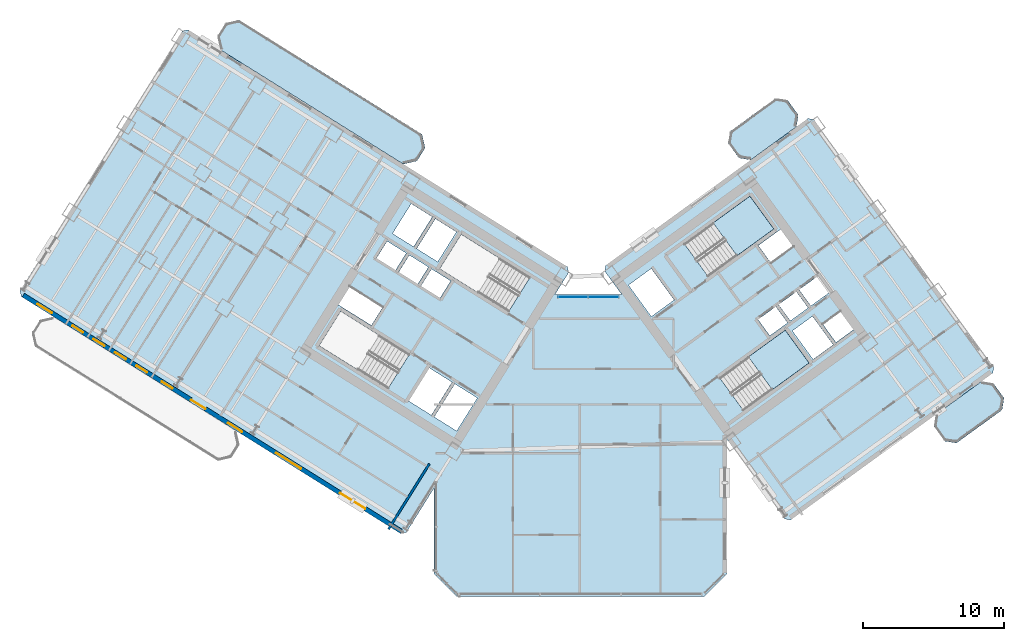
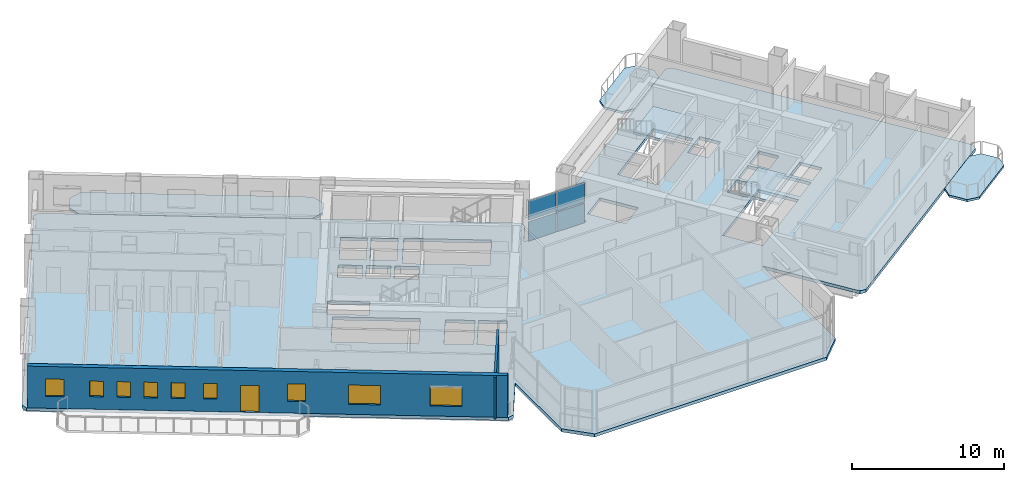
# One storey, part 14 of 24: 9 windows, 6 slabs, 4 plates, 2 walls, 1 door, 10 openings, 3 elements without a shape of their own.
"""IFC4 building model written with IfcOpenShell, lengths in metres."""

from ifc_helpers import new_model, si_unit, direction, frame, frame_2d, origin, origin_2d, place, context, subcontext, project, spatial, polyline, rectangle, outline, extrude, source, transform, mapped, material, layer, layer_set, type_object, element, fill, aggregate, save


model = new_model("IFC4")

# Units and contexts
model_context = context("Model", 3, precision=1e-05, world=origin(), true_north=direction((0.0, 1.0)))
body_context = subcontext(model_context, "Body", "Model", "MODEL_VIEW")
ifc_project = project(units=[si_unit("LENGTHUNIT", "METRE"), si_unit("AREAUNIT", "SQUARE_METRE"), si_unit("VOLUMEUNIT", "CUBIC_METRE"), si_unit("PLANEANGLEUNIT", "RADIAN"), si_unit("MASSUNIT", "GRAM", prefix="KILO")], contexts=[model_context])

# Site, building, storey
site_placement = place(None, origin())
site = spatial("IfcSite", under=ifc_project, at=site_placement, CompositionType="ELEMENT")
building_placement = place(site_placement, origin())
building = spatial("IfcBuilding", under=site, at=building_placement, Name="Tlacorven Tower", CompositionType="ELEMENT")
storey_placement = place(building_placement, frame((0.0, 0.0, 31.199951171875)))
storey = spatial("IfcBuildingStorey", under=building, at=storey_placement, Name="L07", CompositionType="ELEMENT", Elevation=31.199951171875)

# Slabs
ifc_material_1 = material(Name="Precast concrete C45/55", Category="concrete")
ifc_layer_1 = layer(ifc_material_1, 0.179931640625)
ifc_layer_set_1 = layer_set([ifc_layer_1], Name="Precast concrete C45/55")
slab_type_1 = type_object("IfcSlabType", Name="SL-BAL-180", PredefinedType="USERDEFINED", material=ifc_layer_set_1)
slab_1_placement = place(storey_placement, frame((0.0, 0.0, -0.179931640625)))
element("IfcSlab", 1, at=slab_1_placement, inside=storey, type_object=slab_type_1, Name="L07 West Wing Balcony Ribbon IN", ObjectType="BALCONY SLAB", PredefinedType="USERDEFINED", context=body_context, shape_type="SweptSolid", body=[
    extrude(outline(polyline([(30.756591796875, 34.57763671875), (17.781494140625, 42.685546875), (16.81689453125, 42.462890625), (16.236572265625, 41.5341796875), (16.459228515625, 40.569580078125), (29.434326171875, 32.4619140625), (30.39892578125, 32.6845703125), (30.979248046875, 33.613037109375), (30.756591796875, 34.57763671875)])), origin(), (0.0, 0.0, 1.0), 0.179931640625),
])
slab_2_placement = place(storey_placement, frame((0.0, 0.0, -0.179931640625)))
element("IfcSlab", 2, at=slab_2_placement, inside=storey, type_object=slab_type_1, Name="L07 East Wing Balcony Ribbon OUT", ObjectType="BALCONY SLAB", PredefinedType="USERDEFINED", context=body_context, shape_type="SweptSolid", body=[
    extrude(outline(polyline([(68.669921875, 12.678955078125), (71.906005859375, 15.0302734375), (72.03857421875, 15.8681640625), (71.27734375, 16.916015625), (70.439453125, 17.048583984375), (67.203369140625, 14.697509765625), (67.070556640625, 13.859375), (67.831787109375, 12.811767578125), (68.669921875, 12.678955078125)])), origin(), (0.0, 0.0, 1.0), 0.179931640625),
])
slab_3_placement = place(storey_placement, frame((0.0, 0.0, -0.179931640625)))
element("IfcSlab", 3, at=slab_3_placement, inside=storey, type_object=slab_type_1, Name="L07 East Wing Balcony Ribbon IN", ObjectType="BALCONY SLAB", PredefinedType="USERDEFINED", context=body_context, shape_type="SweptSolid", body=[
    extrude(outline(polyline([(54.078125, 32.762939453125), (57.314208984375, 35.114013671875), (57.44677734375, 35.9521484375), (56.685791015625, 36.999755859375), (55.84765625, 37.132568359375), (52.611572265625, 34.78125), (52.478759765625, 33.943359375), (53.239990234375, 32.8955078125), (54.078125, 32.762939453125)])), origin(), (0.0, 0.0, 1.0), 0.179931640625),
])

# Stair, slab
ifc_material_2 = material(Name="Concrete C40/50", Category="concrete")
stair_type = type_object("IfcStairType", Name="ST-CORE-DLG", PredefinedType="HALF_TURN_STAIR", material=ifc_material_2)
stair_1_placement = place(storey_placement, origin())
stair_1 = element("IfcStair", 4, at=stair_1_placement, inside=storey, type_object=stair_type, Name="L07 Protected Exit Stair East 1", PredefinedType="HALF_TURN_STAIR")
ifc_layer_2 = layer(ifc_material_2, 0.199951171875)
ifc_layer_set_2 = layer_set([ifc_layer_2], Name="Concrete C40/50")
slab_type_2 = type_object("IfcSlabType", Name="SL-LND-200", PredefinedType="LANDING", material=ifc_layer_set_2)
slab_4_placement = place(storey_placement, frame((0.0, 0.0, 1.60009765625)))
slab_4 = element("IfcSlab", 5, at=slab_4_placement, type_object=slab_type_2, Name="ST-E1 landing 1", PredefinedType="LANDING", context=body_context, shape_type="SweptSolid", body=[
    extrude(outline(polyline([(53.09765625, 25.962890625), (55.7109375, 27.861572265625), (54.01806640625, 30.19140625), (51.40478515625, 28.29296875), (53.09765625, 25.962890625)])), origin(), (0.0, 0.0, 1.0), 0.199951171875),
])
aggregate(stair_1, [slab_4])

stair_2_placement = place(storey_placement, origin())
stair_2 = element("IfcStair", 6, at=stair_2_placement, inside=storey, type_object=stair_type, Name="L07 Protected Exit Stair East 2", PredefinedType="HALF_TURN_STAIR")
slab_5_placement = place(storey_placement, frame((0.0, 0.0, 1.60009765625)))
slab_5 = element("IfcSlab", 7, at=slab_5_placement, type_object=slab_type_2, Name="ST-E2 landing 1", PredefinedType="LANDING", context=body_context, shape_type="SweptSolid", body=[
    extrude(outline(polyline([(55.601806640625, 16.4599609375), (58.21484375, 18.3583984375), (56.52197265625, 20.6884765625), (53.908935546875, 18.789794921875), (55.601806640625, 16.4599609375)])), origin(), (0.0, 0.0, 1.0), 0.199951171875),
])
aggregate(stair_2, [slab_5])

# Slab
ifc_layer_3 = layer(ifc_material_2, 0.25)
ifc_layer_set_3 = layer_set([ifc_layer_3], Name="Concrete C40/50")
slab_type_3 = type_object("IfcSlabType", Name="SL-TWR-250", PredefinedType="FLOOR", material=ifc_layer_set_3)
slab_6_placement = place(storey_placement, frame((0.0, 0.0, -0.25)))
element("IfcSlab", 8, at=slab_6_placement, inside=storey, type_object=slab_type_3, Name="L07 Boomerang Tower Floor Slab", PredefinedType="FLOOR", context=body_context, shape_type="SweptSolid", body=[
    extrude(outline(polyline([(52.39990234375, 3.39990234375), (50.800048828125, 1.800048828125), (33.199951171875, 1.800048828125), (31.60009765625, 3.39990234375), (31.60009765625, 9.470703125), (29.652587890625, 6.35400390625), (29.2392578125, 6.258544921875), (2.339111328125, 23.067626953125), (2.24365234375, 23.481201171875), (13.75341796875, 41.900634765625), (14.1669921875, 41.99609375), (41.06689453125, 25.18701171875), (41.162353515625, 24.773681640625), (40.178955078125, 23.199951171875), (44.932373046875, 23.199951171875), (43.723876953125, 24.86328125), (43.790283203125, 25.2822265625), (58.1259765625, 35.69775390625), (58.545166015625, 35.63134765625), (71.311767578125, 18.0595703125), (71.245361328125, 17.640380859375), (56.90966796875, 7.224853515625), (56.49072265625, 7.291259765625), (52.39990234375, 12.921630859375), (52.39990234375, 3.39990234375)]), holes=[polyline([(29.865478515625, 18.979736328125), (24.9892578125, 22.02685546875), (23.463134765625, 19.58447265625), (28.33935546875, 16.537353515625), (29.865478515625, 18.979736328125)]), polyline([(38.4169921875, 24.4375), (33.540771484375, 27.484375), (32.0146484375, 25.0419921875), (36.890869140625, 21.9951171875), (38.4169921875, 24.4375)]), polyline([(51.05908203125, 24.481689453125), (55.7109375, 27.861572265625), (54.01806640625, 30.19140625), (49.3662109375, 26.811767578125), (51.05908203125, 24.481689453125)]), polyline([(53.56298828125, 14.978759765625), (58.21484375, 18.3583984375), (56.52197265625, 20.6884765625), (51.8701171875, 17.30859375), (53.56298828125, 14.978759765625)]), polyline([(34.682373046875, 15.87548828125), (33.088134765625, 16.871826171875), (31.62548828125, 14.531005859375), (33.2197265625, 13.534912109375), (34.682373046875, 15.87548828125)]), polyline([(32.884521484375, 16.9990234375), (31.2392578125, 18.02685546875), (29.77685546875, 15.686279296875), (31.421875, 14.658203125), (32.884521484375, 16.9990234375)]), polyline([(47.0234375, 21.648681640625), (48.6416015625, 22.82421875), (47.019287109375, 25.05712890625), (45.401123046875, 23.881591796875), (47.0234375, 21.648681640625)]), polyline([(33.197265625, 27.65185546875), (31.704833984375, 28.58447265625), (30.3798828125, 26.46435546875), (31.87255859375, 25.53173828125), (33.197265625, 27.65185546875)]), polyline([(31.484375, 28.722412109375), (29.99169921875, 29.655029296875), (28.6669921875, 27.534912109375), (30.159423828125, 26.602294921875), (31.484375, 28.722412109375)]), polyline([(32.794921875, 24.17724609375), (31.43798828125, 25.025146484375), (30.685546875, 23.82080078125), (32.042236328125, 22.972900390625), (32.794921875, 24.17724609375)]), polyline([(31.217529296875, 25.162841796875), (29.860595703125, 26.0107421875), (29.108154296875, 24.806396484375), (30.465087890625, 23.958740234375), (31.217529296875, 25.162841796875)]), polyline([(29.64013671875, 26.1484375), (28.283203125, 26.996337890625), (27.53076171875, 25.792236328125), (28.8876953125, 24.9443359375), (29.64013671875, 26.1484375)]), polyline([(55.427734375, 20.288818359375), (56.68994140625, 21.205810546875), (55.855224609375, 22.354736328125), (54.59326171875, 21.437744140625), (55.427734375, 20.288818359375)]), polyline([(56.884033203125, 21.346923828125), (58.146240234375, 22.263916015625), (57.3115234375, 23.41259765625), (56.04931640625, 22.495849609375), (56.884033203125, 21.346923828125)]), polyline([(58.34033203125, 22.405029296875), (59.602294921875, 23.322021484375), (58.767578125, 24.470703125), (57.505615234375, 23.5537109375), (58.34033203125, 22.405029296875)]), polyline([(58.498779296875, 18.614013671875), (59.922607421875, 19.648681640625), (58.453125, 21.671142578125), (57.029296875, 20.63671875), (58.498779296875, 18.614013671875)]), polyline([(27.96142578125, 22.2919921875), (25.603759765625, 23.76513671875), (24.80908203125, 22.4931640625), (27.16650390625, 21.02001953125), (27.96142578125, 22.2919921875)]), polyline([(55.490478515625, 25.4765625), (57.092529296875, 26.640380859375), (56.210693359375, 27.85400390625), (54.60888671875, 26.690185546875), (55.490478515625, 25.4765625)]), polyline([(60.12109375, 19.817626953125), (61.38330078125, 20.734619140625), (60.45458984375, 22.012939453125), (59.192626953125, 21.095947265625), (60.12109375, 19.817626953125)])]), origin(), (0.0, 0.0, 1.0), 0.25),
])

# Curtain wall, plates
ifc_material_3 = material(Name="Dark solar low-E double glazing in aluminium frame", Category="aluminium")
curtain_wall_type = type_object("IfcCurtainWallType", Name="CW-TWR-LOW", PredefinedType="USERDEFINED", material=ifc_material_3)
curtain_wall_placement = place(storey_placement, origin())
curtain_wall = element("IfcCurtainWall", 9, at=curtain_wall_placement, inside=storey, type_object=curtain_wall_type, Name="L07 CW-TWR-LOW Curtain Wall 38", ObjectType="UNITISED CURTAIN WALL", PredefinedType="USERDEFINED")
ifc_material_4 = material(Name="Dark solar double low-E glazing", Category="glass")
ifc_layer_4 = layer(ifc_material_4, 0.031982421875)
ifc_layer_set_4 = layer_set([ifc_layer_4], Name="Dark solar double low-E glazing")
plate_type = type_object("IfcPlateType", Name="CWP-02", PredefinedType="CURTAIN_PANEL", material=ifc_layer_set_4)
shared_shape_1 = source(origin(), body_context, "Body", "SweptSolid", [
    extrude(rectangle(XDim=2.110595703125, YDim=0.031982421875, at=origin_2d()), origin(), (0.0, 0.0, 1.0), 1.552978515625),
])
plate_1_placement = place(storey_placement, frame((41.47802734375, 23.0400390625, 0.06103515625), z_axis=(0.0, 0.0, 1.0), x_axis=(1.0, 0.0, 0.0)))
plate_1 = element("IfcPlate", 10, at=plate_1_placement, type_object=plate_type, Name="CW-L07-038 Glazing Panel 1", PredefinedType="CURTAIN_PANEL", context=body_context, shape_type="MappedRepresentation", body=[
    mapped(shared_shape_1, transform((0.0, 0.0, 0.0), scale=1.0)),
])
plate_2_placement = place(storey_placement, frame((41.47802734375, 23.0400390625, 1.73583984375), z_axis=(0.0, 0.0, 1.0), x_axis=(1.0, 0.0, 0.0)))
plate_2 = element("IfcPlate", 11, at=plate_2_placement, type_object=plate_type, Name="CW-L07-038 Glazing Panel 2", PredefinedType="CURTAIN_PANEL", context=body_context, shape_type="MappedRepresentation", body=[
    mapped(shared_shape_1, transform((0.0, 0.0, 0.0), scale=1.0)),
])
plate_3_placement = place(storey_placement, frame((43.640625, 23.0400390625, 0.06103515625), z_axis=(0.0, 0.0, 1.0), x_axis=(1.0, 0.0, 0.0)))
plate_3 = element("IfcPlate", 12, at=plate_3_placement, type_object=plate_type, Name="CW-L07-038 Glazing Panel 3", PredefinedType="CURTAIN_PANEL", context=body_context, shape_type="MappedRepresentation", body=[
    mapped(shared_shape_1, transform((0.0, 0.0, 0.0), scale=1.0)),
])
plate_4_placement = place(storey_placement, frame((43.640625, 23.0400390625, 1.73583984375), z_axis=(0.0, 0.0, 1.0), x_axis=(1.0, 0.0, 0.0)))
plate_4 = element("IfcPlate", 13, at=plate_4_placement, type_object=plate_type, Name="CW-L07-038 Glazing Panel 4", PredefinedType="CURTAIN_PANEL", context=body_context, shape_type="MappedRepresentation", body=[
    mapped(shared_shape_1, transform((0.0, 0.0, 0.0), scale=1.0)),
])
aggregate(curtain_wall, [plate_1, plate_2, plate_3, plate_4])

# Wall
ifc_material_5 = material(Name="Gypsum plasterboard acoustic partition", Category="gypsum")
ifc_layer_5 = layer(ifc_material_5, 0.159912109375)
ifc_layer_set_5 = layer_set([ifc_layer_5], Name="Gypsum plasterboard acoustic partition")
wall_type_1 = type_object("IfcWallType", Name="WL-DEM-160", PredefinedType="PARTITIONING", material=ifc_layer_set_5)
wall_1_placement = place(storey_placement, frame((31.282470703125, 11.2080078125, 0.0), z_axis=(0.0, 0.0, 1.0), x_axis=(-0.529938869374, -0.84803584519, 0.0)))
element("IfcWall", 14, at=wall_1_placement, inside=storey, type_object=wall_type_1, Name="L07 WC West Throat Wall", PredefinedType="PARTITIONING", context=body_context, shape_type="SweptSolid", body=[
    extrude(rectangle(XDim=5.47998046875, YDim=0.159912109375, at=frame_2d((2.739990234375, 0.0))), origin(), (0.0, 0.0, 1.0), 3.340087890625),
])

# Wall, openings, door, windows
ifc_layer_6 = layer(ifc_material_1, 0.320068359375)
ifc_layer_set_6 = layer_set([ifc_layer_6], Name="Precast concrete C45/55")
wall_type_2 = type_object("IfcWallType", Name="WL-EXT-320", PredefinedType="STANDARD", material=ifc_layer_set_6)
wall_2_placement = place(storey_placement, frame((29.267822265625, 6.429443359375, 0.0), z_axis=(0.0, 0.0, 1.0), x_axis=(-0.848049971435, 0.529916263149, 0.0)))
wall_2 = element("IfcWall", 15, at=wall_2_placement, inside=storey, type_object=wall_type_2, Name="L07 Masonry-Frame Recessed Facade Wall 1", PredefinedType="STANDARD", context=body_context, shape_type="SweptSolid", body=[
    extrude(rectangle(XDim=31.587646484375, YDim=0.320068359375, at=frame_2d((15.7939453125, 0.0))), origin(), (0.0, 0.0, 1.0), 3.35009765625),
])
opening_1_placement = place(wall_2_placement, frame((16.36181640625, 0.0, 0.0)))
opening_1 = element("IfcOpeningElement", 16, at=opening_1_placement, cuts=wall_2, Name="Opening D05", PredefinedType="OPENING", context=body_context, shape_type="SweptSolid", body=[
    extrude(rectangle(XDim=1.199951171875, YDim=2.14990234375, at=frame_2d((0.60009765625, 1.074951171875))), frame((0.0, 0.169921875, 0.0), z_axis=(0.0, -1.0, 0.0), x_axis=(1.0, 0.0, 0.0)), (0.0, 0.0, 1.0), 0.340087890625),
])
opening_2_placement = place(wall_2_placement, frame((2.98876953125, 0.0, 0.800048828125)))
opening_2 = element("IfcOpeningElement", 17, at=opening_2_placement, cuts=wall_2, Name="Opening WN04", PredefinedType="OPENING", context=body_context, shape_type="SweptSolid", body=[
    extrude(rectangle(XDim=2.10009765625, YDim=1.550048828125, at=frame_2d((1.050048828125, 0.77490234375))), frame((0.0, 0.169921875, 0.0), z_axis=(0.0, -1.0, 0.0), x_axis=(1.0, 0.0, 0.0)), (0.0, 0.0, 1.0), 0.340087890625),
])
opening_3_placement = place(wall_2_placement, frame((8.358642578125, 0.0, 0.800048828125)))
opening_3 = element("IfcOpeningElement", 18, at=opening_3_placement, cuts=wall_2, Name="Opening WN04", PredefinedType="OPENING", context=body_context, shape_type="SweptSolid", body=[
    extrude(rectangle(XDim=2.10009765625, YDim=1.550048828125, at=frame_2d((1.050048828125, 0.77490234375))), frame((0.0, 0.169921875, 0.0), z_axis=(0.0, -1.0, 0.0), x_axis=(1.0, 0.0, 0.0)), (0.0, 0.0, 1.0), 0.340087890625),
])
opening_4_placement = place(wall_2_placement, frame((13.28369140625, 0.0, 0.949951171875)))
opening_4 = element("IfcOpeningElement", 19, at=opening_4_placement, cuts=wall_2, Name="Opening WN03", PredefinedType="OPENING", context=body_context, shape_type="SweptSolid", body=[
    extrude(rectangle(XDim=1.199951171875, YDim=1.39990234375, at=frame_2d((0.60009765625, 0.699951171875))), frame((0.0, 0.169921875, 0.0), z_axis=(0.0, -1.0, 0.0), x_axis=(1.0, 0.0, 0.0)), (0.0, 0.0, 1.0), 0.340087890625),
])
opening_5_placement = place(wall_2_placement, frame((29.18798828125, 0.0, 0.949951171875)))
opening_5 = element("IfcOpeningElement", 20, at=opening_5_placement, cuts=wall_2, Name="Opening WN03", PredefinedType="OPENING", context=body_context, shape_type="SweptSolid", body=[
    extrude(rectangle(XDim=1.199951171875, YDim=1.39990234375, at=frame_2d((0.60009765625, 0.699951171875))), frame((0.0, 0.169921875, 0.0), z_axis=(0.0, -1.0, 0.0), x_axis=(1.0, 0.0, 0.0)), (0.0, 0.0, 1.0), 0.340087890625),
])
opening_6_placement = place(wall_2_placement, frame((19.110107421875, 0.0, 1.0)))
opening_6 = element("IfcOpeningElement", 21, at=opening_6_placement, cuts=wall_2, Name="Opening WN05", PredefinedType="OPENING", context=body_context, shape_type="SweptSolid", body=[
    extrude(rectangle(XDim=0.89990234375, YDim=1.25, at=frame_2d((0.449951171875, 0.625))), frame((0.0, 0.169921875, 0.0), z_axis=(0.0, -1.0, 0.0), x_axis=(1.0, 0.0, 0.0)), (0.0, 0.0, 1.0), 0.340087890625),
])
opening_7_placement = place(wall_2_placement, frame((21.2255859375, 0.0, 1.0)))
opening_7 = element("IfcOpeningElement", 22, at=opening_7_placement, cuts=wall_2, Name="Opening WN05", PredefinedType="OPENING", context=body_context, shape_type="SweptSolid", body=[
    extrude(rectangle(XDim=0.89990234375, YDim=1.25, at=frame_2d((0.449951171875, 0.625))), frame((0.0, 0.169921875, 0.0), z_axis=(0.0, -1.0, 0.0), x_axis=(1.0, 0.0, 0.0)), (0.0, 0.0, 1.0), 0.340087890625),
])
opening_8_placement = place(wall_2_placement, frame((23.013671875, 0.0, 1.0)))
opening_8 = element("IfcOpeningElement", 23, at=opening_8_placement, cuts=wall_2, Name="Opening WN05", PredefinedType="OPENING", context=body_context, shape_type="SweptSolid", body=[
    extrude(rectangle(XDim=0.89990234375, YDim=1.25, at=frame_2d((0.449951171875, 0.625))), frame((0.0, 0.169921875, 0.0), z_axis=(0.0, -1.0, 0.0), x_axis=(1.0, 0.0, 0.0)), (0.0, 0.0, 1.0), 0.340087890625),
])
opening_9_placement = place(wall_2_placement, frame((24.8017578125, 0.0, 1.0)))
opening_9 = element("IfcOpeningElement", 24, at=opening_9_placement, cuts=wall_2, Name="Opening WN05", PredefinedType="OPENING", context=body_context, shape_type="SweptSolid", body=[
    extrude(rectangle(XDim=0.89990234375, YDim=1.25, at=frame_2d((0.449951171875, 0.625))), frame((0.0, 0.169921875, 0.0), z_axis=(0.0, -1.0, 0.0), x_axis=(1.0, 0.0, 0.0)), (0.0, 0.0, 1.0), 0.340087890625),
])
opening_10_placement = place(wall_2_placement, frame((26.589599609375, 0.0, 1.0)))
opening_10 = element("IfcOpeningElement", 25, at=opening_10_placement, cuts=wall_2, Name="Opening WN05", PredefinedType="OPENING", context=body_context, shape_type="SweptSolid", body=[
    extrude(rectangle(XDim=0.89990234375, YDim=1.25, at=frame_2d((0.449951171875, 0.625))), frame((0.0, 0.169921875, 0.0), z_axis=(0.0, -1.0, 0.0), x_axis=(1.0, 0.0, 0.0)), (0.0, 0.0, 1.0), 0.340087890625),
])
ifc_material_6 = material(Name="Powder-coated aluminium and timber door", Category="wood")
door_type = type_object("IfcDoorType", Name="DR-EXT-BALC-1200", OperationType="NOTDEFINED", PredefinedType="DOOR", material=ifc_material_6)
shared_shape_2 = source(origin(), body_context, "Body", "SweptSolid", [
    extrude(rectangle(XDim=1.199951171875, YDim=2.14990234375, at=frame_2d((0.60009765625, 1.074951171875))), frame((0.0, 0.02490234375, 0.0), z_axis=(0.0, -1.0, 0.0), x_axis=(1.0, 0.0, 0.0)), (0.0, 0.0, 1.0), 0.050048828125),
])
door_placement = place(opening_1_placement, origin())
door = element("IfcDoor", 26, at=door_placement, inside=storey, type_object=door_type, Name="L07 Outdoor Access Door BAL-L07-W-OUT", OperationType="SINGLE_SWING_LEFT", OverallHeight=2.14990234375, OverallWidth=1.199951171875, PredefinedType="DOOR", context=body_context, shape_type="MappedRepresentation", body=[
    mapped(shared_shape_2, transform((0.0, 0.0, 0.0), scale=1.0)),
])
fill(opening_1, door)
ifc_material_7 = material(Name="Dark solar low-E double glazing in anodised aluminium frame", Category="aluminium")
window_type_1 = type_object("IfcWindowType", Name="WN-APT-2100X1750", PartitioningType="SINGLE_PANEL", PredefinedType="WINDOW", material=ifc_material_7)
shared_shape_3 = source(origin(), body_context, "Body", "SweptSolid", [
    extrude(rectangle(XDim=2.10009765625, YDim=1.550048828125, at=frame_2d((1.050048828125, 0.77490234375))), frame((0.0, 0.030029296875, 0.0), z_axis=(0.0, -1.0, 0.0), x_axis=(1.0, 0.0, 0.0)), (0.0, 0.0, 1.0), 0.06005859375),
])
window_1_placement = place(opening_2_placement, origin())
window_1 = element("IfcWindow", 27, at=window_1_placement, inside=storey, type_object=window_type_1, Name="L07 Recessed Masonry-Frame Window L07-01.1", OverallHeight=1.550048828125, OverallWidth=2.10009765625, PartitioningType="SINGLE_PANEL", PredefinedType="WINDOW", context=body_context, shape_type="MappedRepresentation", body=[
    mapped(shared_shape_3, transform((0.0, 0.0, 0.0), scale=1.0)),
])
fill(opening_2, window_1)
window_2_placement = place(opening_3_placement, origin())
window_2 = element("IfcWindow", 28, at=window_2_placement, inside=storey, type_object=window_type_1, Name="L07 Recessed Masonry-Frame Window L07-01.2", OverallHeight=1.550048828125, OverallWidth=2.10009765625, PartitioningType="SINGLE_PANEL", PredefinedType="WINDOW", context=body_context, shape_type="MappedRepresentation", body=[
    mapped(shared_shape_3, transform((0.0, 0.0, 0.0), scale=1.0)),
])
fill(opening_3, window_2)
window_type_2 = type_object("IfcWindowType", Name="WN-APT-1200X1500", PartitioningType="SINGLE_PANEL", PredefinedType="WINDOW", material=ifc_material_7)
shared_shape_4 = source(origin(), body_context, "Body", "SweptSolid", [
    extrude(rectangle(XDim=1.199951171875, YDim=1.39990234375, at=frame_2d((0.60009765625, 0.699951171875))), frame((0.0, 0.030029296875, 0.0), z_axis=(0.0, -1.0, 0.0), x_axis=(1.0, 0.0, 0.0)), (0.0, 0.0, 1.0), 0.06005859375),
])
window_3_placement = place(opening_4_placement, origin())
window_3 = element("IfcWindow", 29, at=window_3_placement, inside=storey, type_object=window_type_2, Name="L07 Recessed Masonry-Frame Window L07-01.3", OverallHeight=1.39990234375, OverallWidth=1.199951171875, PartitioningType="SINGLE_PANEL", PredefinedType="WINDOW", context=body_context, shape_type="MappedRepresentation", body=[
    mapped(shared_shape_4, transform((0.0, 0.0, 0.0), scale=1.0)),
])
fill(opening_4, window_3)
window_4_placement = place(opening_5_placement, origin())
window_4 = element("IfcWindow", 30, at=window_4_placement, inside=storey, type_object=window_type_2, Name="L07 Recessed Masonry-Frame Window L07-01.4", OverallHeight=1.39990234375, OverallWidth=1.199951171875, PartitioningType="SINGLE_PANEL", PredefinedType="WINDOW", context=body_context, shape_type="MappedRepresentation", body=[
    mapped(shared_shape_4, transform((0.0, 0.0, 0.0), scale=1.0)),
])
fill(opening_5, window_4)
window_type_3 = type_object("IfcWindowType", Name="WN-APT-0900X1350", PartitioningType="SINGLE_PANEL", PredefinedType="WINDOW", material=ifc_material_7)
shared_shape_5 = source(origin(), body_context, "Body", "SweptSolid", [
    extrude(rectangle(XDim=0.89990234375, YDim=1.25, at=frame_2d((0.449951171875, 0.625))), frame((0.0, 0.030029296875, 0.0), z_axis=(0.0, -1.0, 0.0), x_axis=(1.0, 0.0, 0.0)), (0.0, 0.0, 1.0), 0.06005859375),
])
window_5_placement = place(opening_6_placement, origin())
window_5 = element("IfcWindow", 31, at=window_5_placement, inside=storey, type_object=window_type_3, Name="L07 Dwelling Daylight Window L07-U02-BD1", OverallHeight=1.25, OverallWidth=0.89990234375, PartitioningType="SINGLE_PANEL", PredefinedType="WINDOW", context=body_context, shape_type="MappedRepresentation", body=[
    mapped(shared_shape_5, transform((0.0, 0.0, 0.0), scale=1.0)),
])
fill(opening_6, window_5)
window_6_placement = place(opening_7_placement, origin())
window_6 = element("IfcWindow", 32, at=window_6_placement, inside=storey, type_object=window_type_3, Name="L07 Dwelling Daylight Window L07-U02-BD2", OverallHeight=1.25, OverallWidth=0.89990234375, PartitioningType="SINGLE_PANEL", PredefinedType="WINDOW", context=body_context, shape_type="MappedRepresentation", body=[
    mapped(shared_shape_5, transform((0.0, 0.0, 0.0), scale=1.0)),
])
fill(opening_7, window_6)
window_7_placement = place(opening_8_placement, origin())
window_7 = element("IfcWindow", 33, at=window_7_placement, inside=storey, type_object=window_type_3, Name="L07 Dwelling Daylight Window L07-U02-BD3", OverallHeight=1.25, OverallWidth=0.89990234375, PartitioningType="SINGLE_PANEL", PredefinedType="WINDOW", context=body_context, shape_type="MappedRepresentation", body=[
    mapped(shared_shape_5, transform((0.0, 0.0, 0.0), scale=1.0)),
])
fill(opening_8, window_7)
window_8_placement = place(opening_9_placement, origin())
window_8 = element("IfcWindow", 34, at=window_8_placement, inside=storey, type_object=window_type_3, Name="L07 Dwelling Daylight Window L07-U02-BD4", OverallHeight=1.25, OverallWidth=0.89990234375, PartitioningType="SINGLE_PANEL", PredefinedType="WINDOW", context=body_context, shape_type="MappedRepresentation", body=[
    mapped(shared_shape_5, transform((0.0, 0.0, 0.0), scale=1.0)),
])
fill(opening_9, window_8)
window_9_placement = place(opening_10_placement, origin())
window_9 = element("IfcWindow", 35, at=window_9_placement, inside=storey, type_object=window_type_3, Name="L07 Dwelling Daylight Window L07-U02-BD5", OverallHeight=1.25, OverallWidth=0.89990234375, PartitioningType="SINGLE_PANEL", PredefinedType="WINDOW", context=body_context, shape_type="MappedRepresentation", body=[
    mapped(shared_shape_5, transform((0.0, 0.0, 0.0), scale=1.0)),
])
fill(opening_10, window_9)

save(model, "model.ifc")
